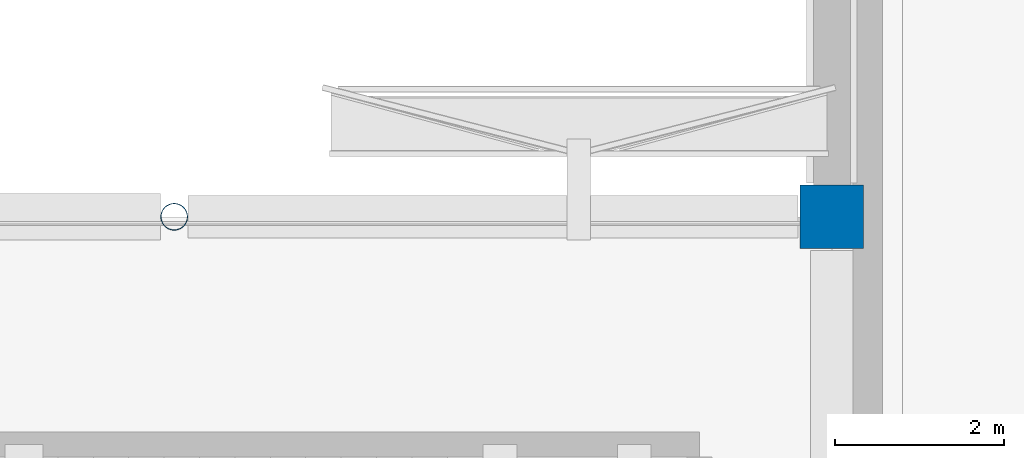
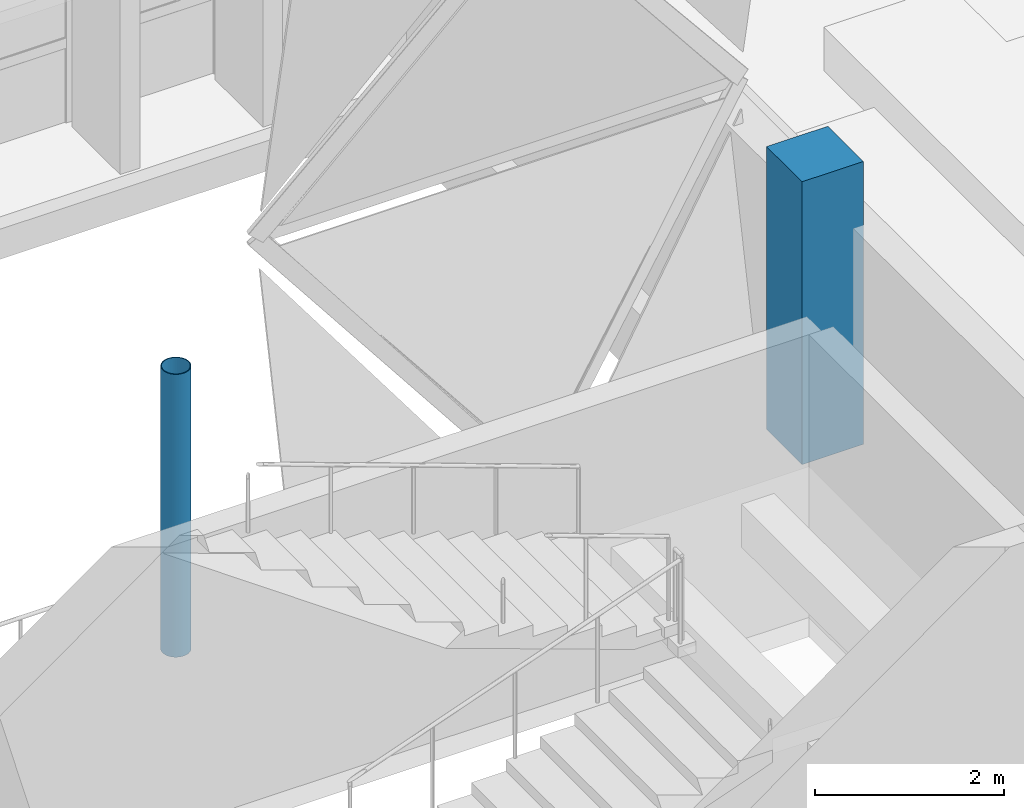
# One storey, part 6 of 80: 2 columns.
"""IFC4 building model written with IfcOpenShell, lengths in metres."""

from ifc_helpers import new_model, si_unit, direction, frame, origin, origin_2d, place, context, subcontext, project, spatial, rectangle, hollow_circle, extrude, material, material_profile, profile_set, type_object, element, save


model = new_model("IFC4")

# Units and contexts
model_context = context("Model", 3, precision=1e-05, world=origin(), true_north=direction((0.0, 1.0)))
body_context = subcontext(model_context, "Body", "Model", "MODEL_VIEW")
ifc_project = project(units=[si_unit("LENGTHUNIT", "METRE"), si_unit("AREAUNIT", "SQUARE_METRE"), si_unit("VOLUMEUNIT", "CUBIC_METRE"), si_unit("PLANEANGLEUNIT", "RADIAN"), si_unit("MASSUNIT", "GRAM", prefix="KILO")], contexts=[model_context])

# Site, building, storey
site_placement = place(None, origin())
site = spatial("IfcSite", under=ifc_project, at=site_placement, CompositionType="ELEMENT")
building_placement = place(site_placement, origin())
building = spatial("IfcBuilding", under=site, at=building_placement, Name="Varnakota Cinema and Media Centre", CompositionType="ELEMENT")
storey_placement = place(building_placement, frame((0.0, 0.0, 4.5)))
storey = spatial("IfcBuildingStorey", under=building, at=storey_placement, Name="L01", CompositionType="ELEMENT", Elevation=4.5)

# Columns
ifc_material_1 = material(Name="Concrete M40", Category="concrete")
ifc_material_profile_1 = material_profile(ifc_material_1, rectangle(XDim=0.75, YDim=0.75, at=origin_2d()), Name="RC 750x750")
ifc_profile_set_1 = profile_set([ifc_material_profile_1], Name="Concrete M40")
column_type_1 = type_object("IfcColumnType", Name="COL-RC-750x750", PredefinedType="COLUMN", material=ifc_profile_set_1)
column_1_placement = place(storey_placement, frame((75.0, 26.39990234375, 0.0), z_axis=(0.0, 0.0, 1.0), x_axis=(1.0, 0.0, 0.0)))
element("IfcColumn", 1, at=column_1_placement, inside=storey, type_object=column_type_1, Name="L01 column K/4", PredefinedType="COLUMN", context=body_context, shape_type="SweptSolid", body=[
    extrude(rectangle(XDim=0.75, YDim=0.75, at=origin_2d()), origin(), (0.0, 0.0, 1.0), 3.64990234375),
])
ifc_material_2 = material(Name="Structural steel S355 (YSt 355)", Category="steel")
ifc_material_profile_2 = material_profile(ifc_material_2, hollow_circle(Radius=0.161865234375, WallThickness=0.010009765625, at=origin_2d()), Name="CHS 323.9x10.0")
ifc_profile_set_2 = profile_set([ifc_material_profile_2], Name="Structural steel S355 (YSt 355)")
column_type_2 = type_object("IfcColumnType", Name="COL-ST-CHS324", PredefinedType="COLUMN", material=ifc_profile_set_2)
column_2_placement = place(storey_placement, frame((67.199951171875, 26.39990234375, 0.0), z_axis=(0.0, 0.0, 1.0), x_axis=(1.0, 0.0, 0.0)))
element("IfcColumn", 2, at=column_2_placement, inside=storey, type_object=column_type_2, Name="L01 column J/4", PredefinedType="COLUMN", context=body_context, shape_type="SweptSolid", body=[
    extrude(hollow_circle(Radius=0.161865234375, WallThickness=0.010009765625, at=origin_2d()), origin(), (0.0, 0.0, 1.0), 3.64990234375),
])

save(model, "model.ifc")
